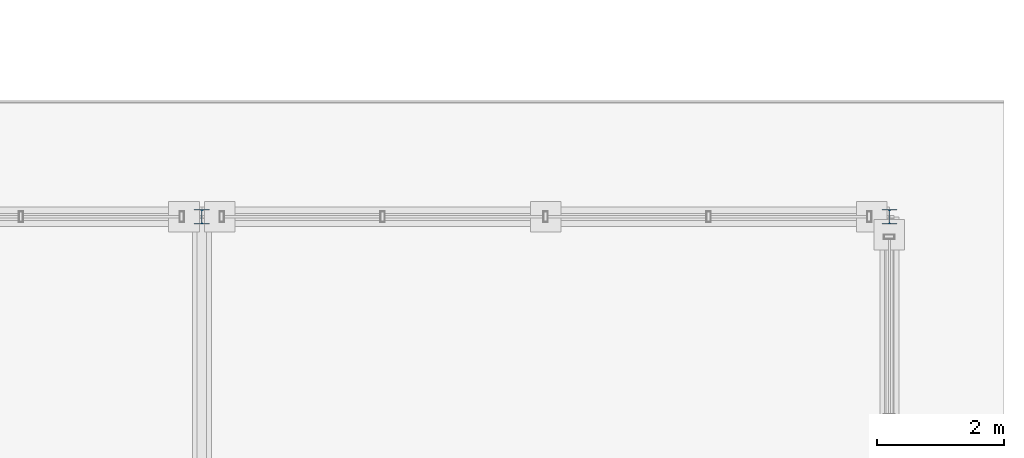
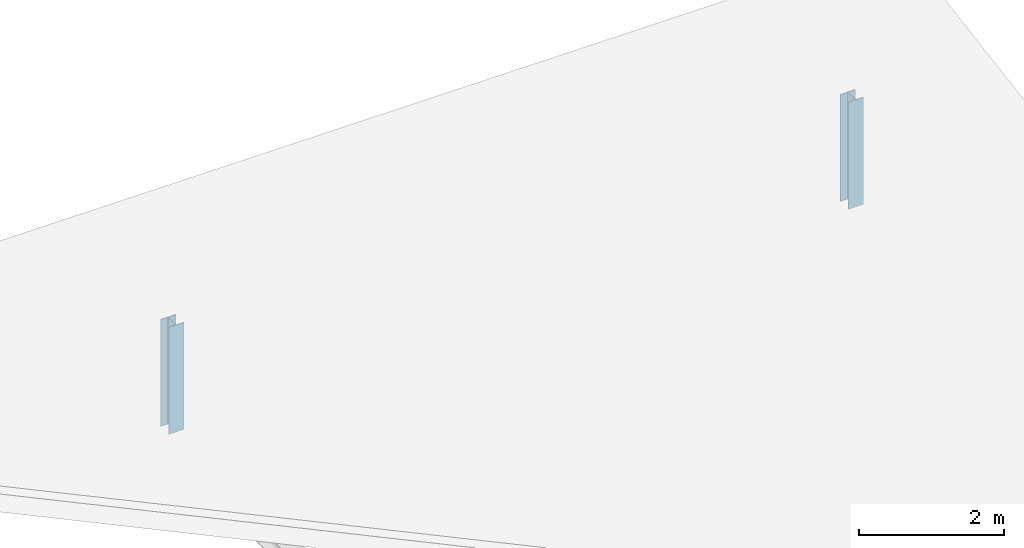
# One storey, part 19 of 117: 2 columns.
"""IFC4 building model written with IfcOpenShell, lengths in metres."""

from ifc_helpers import new_model, si_unit, direction, frame, origin, origin_2d, place, context, subcontext, project, spatial, i_section, extrude, material, material_profile, profile_set, type_object, element, save


model = new_model("IFC4")

# Units and contexts
model_context = context("Model", 3, precision=1e-05, world=origin(), true_north=direction((0.0, 1.0)))
body_context = subcontext(model_context, "Body", "Model", "MODEL_VIEW")
ifc_project = project(units=[si_unit("LENGTHUNIT", "METRE"), si_unit("AREAUNIT", "SQUARE_METRE"), si_unit("VOLUMEUNIT", "CUBIC_METRE"), si_unit("PLANEANGLEUNIT", "RADIAN"), si_unit("MASSUNIT", "GRAM", prefix="KILO")], contexts=[model_context])

# Site, building, storey
site_placement = place(None, origin())
site = spatial("IfcSite", under=ifc_project, at=site_placement, CompositionType="ELEMENT")
building_placement = place(site_placement, origin())
building = spatial("IfcBuilding", under=site, at=building_placement, Name="Merenkruunu Market Hall", CompositionType="ELEMENT")
storey_placement = place(building_placement, frame((0.0, 0.0, 10.199951171875)))
storey = spatial("IfcBuildingStorey", under=building, at=storey_placement, Name="L02", CompositionType="ELEMENT", Elevation=10.199951171875)

# Columns
ifc_material = material(Name="Steel S355J2", Category="steel")
ifc_material_profile = material_profile(ifc_material, i_section(OverallWidth=0.239990234375, OverallDepth=0.22998046875, WebThickness=0.007568359375, FlangeThickness=0.011962890625, FilletRadius=0.02099609375, at=origin_2d()), Name="HEA 240")
ifc_profile_set = profile_set([ifc_material_profile], Name="Steel S355J2")
column_type = type_object("IfcColumnType", Name="Structural Column C10", PredefinedType="COLUMN", material=ifc_profile_set)
for number, where, z_axis, x_axis, name in (
    (1, (181.199951171875, 63.60009765625, 0.0), (0.0, 0.0, 1.0), (1.0, 0.0, 0.0), "COL-V3BF-N-181"),
    (2, (192.0, 63.60009765625, 0.0), (0.0, 0.0, 1.0), (1.0, 0.0, 0.0), "COL-V3BF-N-192"),
):
    element("IfcColumn", number, at=place(storey_placement, frame(where, z_axis=z_axis, x_axis=x_axis)), inside=storey, type_object=column_type, Name=name, PredefinedType="COLUMN", context=body_context, shape_type="SweptSolid", body=[
        extrude(i_section(OverallWidth=0.239990234375, OverallDepth=0.22998046875, WebThickness=0.007568359375, FlangeThickness=0.011962890625, FilletRadius=0.02099609375, at=origin_2d()), origin(), (0.0, 0.0, 1.0), 1.800048828125),
    ])

save(model, "model.ifc")
